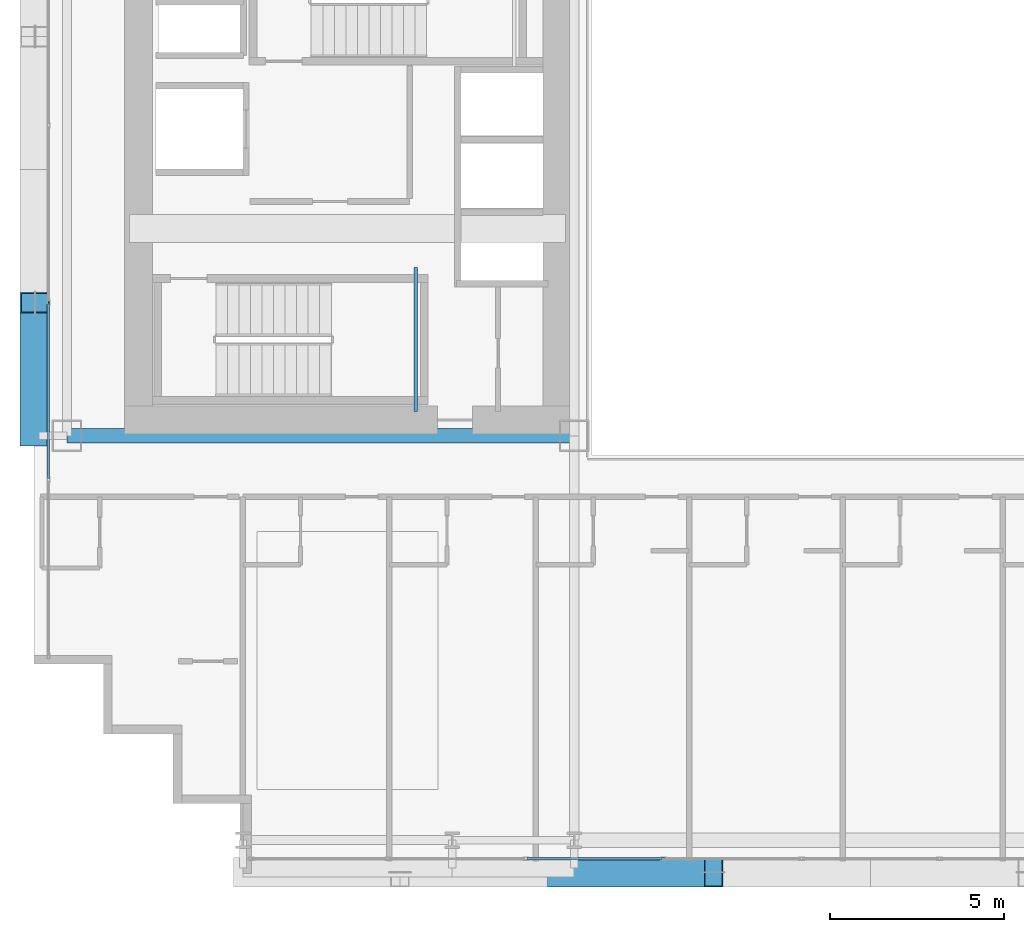
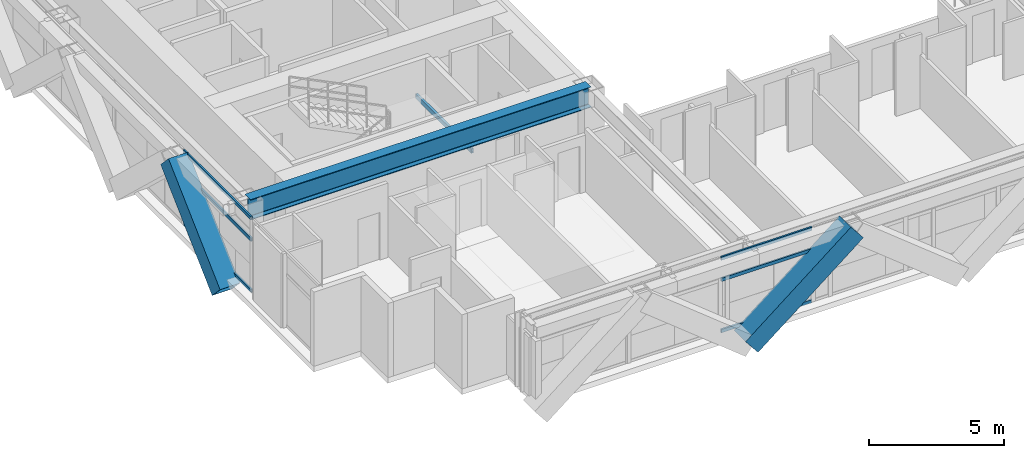
# One storey, part 4 of 36: 8 members, 2 beams, 2 elements without a shape of their own.
"""IFC4 building model written with IfcOpenShell, lengths in metres."""

from ifc_helpers import new_model, si_unit, direction, frame, origin, origin_2d, place, context, subcontext, project, spatial, hollow_rectangle, i_section, extrude, source, transform, mapped, material, layer, layer_set, material_profile, profile_set, type_object, element, aggregate, save


model = new_model("IFC4")

# Units and contexts
model_context = context("Model", 3, precision=1e-05, world=origin(), true_north=direction((0.0, 1.0)))
body_context = subcontext(model_context, "Body", "Model", "MODEL_VIEW")
ifc_project = project(units=[si_unit("LENGTHUNIT", "METRE"), si_unit("AREAUNIT", "SQUARE_METRE"), si_unit("VOLUMEUNIT", "CUBIC_METRE"), si_unit("PLANEANGLEUNIT", "RADIAN"), si_unit("MASSUNIT", "GRAM", prefix="KILO")], contexts=[model_context])

# Site, building, storey
site_placement = place(None, origin())
site = spatial("IfcSite", under=ifc_project, at=site_placement, CompositionType="ELEMENT")
building_placement = place(site_placement, origin())
building = spatial("IfcBuilding", under=site, at=building_placement, Name="Ocotamira Hotel", CompositionType="ELEMENT")
storey_placement = place(building_placement, frame((0.0, 0.0, 42.0)))
storey = spatial("IfcBuildingStorey", under=building, at=storey_placement, Name="L09", CompositionType="ELEMENT", Elevation=42.0)

# Beams
ifc_material_1 = material(Name="Steel ASTM A500 Grade C", Category="steel")
ifc_material_profile_1 = material_profile(ifc_material_1, hollow_rectangle(XDim=0.10009765625, YDim=0.199951171875, WallThickness=0.008056640625, at=origin_2d()), Name="HSS200X100X8")
ifc_profile_set_1 = profile_set([ifc_material_profile_1], Name="Steel ASTM A500 Grade C")
beam_type_1 = type_object("IfcBeamType", Name="BM-STLDG-HSS200", PredefinedType="BEAM", material=ifc_profile_set_1)
shared_shape_1 = source(origin(), body_context, "Body", "SweptSolid", [
    extrude(hollow_rectangle(XDim=0.10009765625, YDim=0.199951171875, WallThickness=0.008056640625, at=origin_2d()), origin(), (0.0, 0.0, 1.0), 4.1201171875),
])
beam_1_placement = place(storey_placement, frame((18.949951171875, 15.25, 1.5), z_axis=(0.0, 1.0, 0.0), x_axis=(-1.0, 0.0, 0.0)))
element("IfcBeam", 1, at=beam_1_placement, inside=storey, type_object=beam_type_1, Name="L09 Stair ST-1 Landing Bearer 1", PredefinedType="BEAM", context=body_context, shape_type="MappedRepresentation", body=[
    mapped(shared_shape_1, transform((0.0, 0.0, 0.0), scale=1.0)),
])
ifc_material_2 = material(Name="Steel ASTM A992 Grade 50", Category="steel")
ifc_material_profile_2 = material_profile(ifc_material_2, i_section(OverallWidth=0.41796875, OverallDepth=0.927001953125, WebThickness=0.019287109375, FlangeThickness=0.031982421875, FilletRadius=0.02392578125, at=origin_2d()), Name="W36X231")
ifc_profile_set_2 = profile_set([ifc_material_profile_2], Name="Steel ASTM A992 Grade 50")
beam_type_2 = type_object("IfcBeamType", Name="BM-GIRD-W36X231", PredefinedType="BEAM", material=ifc_profile_set_2)
shared_shape_2 = source(origin(), body_context, "Body", "SweptSolid", [
    extrude(i_section(OverallWidth=0.41796875, OverallDepth=0.927001953125, WebThickness=0.019287109375, FlangeThickness=0.031982421875, FilletRadius=0.02392578125, at=origin_2d()), origin(), (0.0, 0.0, 1.0), 14.550048828125),
])
beam_2_placement = place(storey_placement, frame((8.949951171875, 14.550048828125, 2.886474609375), z_axis=(1.0, 0.0, 0.0), x_axis=(0.0, 1.0, 0.0)))
element("IfcBeam", 2, at=beam_2_placement, inside=storey, type_object=beam_type_2, Name="L09 Girder Y14.55 X8.95-23.5", PredefinedType="BEAM", context=body_context, shape_type="MappedRepresentation", body=[
    mapped(shared_shape_2, transform((0.0, 0.0, 0.0), scale=1.0)),
])

# Members
ifc_material_3 = material(Name="Pale-metal coated steel ASTM A913 Grade 65", Category="steel")
ifc_material_profile_3 = material_profile(ifc_material_3, hollow_rectangle(XDim=0.85009765625, YDim=0.85009765625, WallThickness=0.035888671875, at=origin_2d()), Name="BOX850X850X36")
ifc_profile_set_3 = profile_set([ifc_material_profile_3], Name="Pale-metal coated steel ASTM A913 Grade 65")
member_type_1 = type_object("IfcMemberType", Name="MEM-EXO-BOX850", PredefinedType="BRACE", material=ifc_profile_set_3)
shared_shape_3 = source(origin(), body_context, "Body", "SweptSolid", [
    extrude(hollow_rectangle(XDim=0.85009765625, YDim=0.85009765625, WallThickness=0.035888671875, at=origin_2d()), origin(), (0.0, 0.0, 1.0), 5.24658203125),
])
member_1_placement = place(storey_placement, frame((8.030029296875, 14.550048828125, -0.5), z_axis=(0.0, 0.727442733726, 0.686168397078), x_axis=(-1.0, 0.0, 0.0)))
element("IfcMember", 3, at=member_1_placement, inside=storey, type_object=member_type_1, Name="L09 Exoskeleton Diagrid W0.1", PredefinedType="BRACE", context=body_context, shape_type="MappedRepresentation", body=[
    mapped(shared_shape_3, transform((0.0, 0.0, 0.0), scale=1.0)),
])
shared_shape_4 = source(origin(), body_context, "Body", "SweptSolid", [
    extrude(hollow_rectangle(XDim=0.85009765625, YDim=0.85009765625, WallThickness=0.035888671875, at=origin_2d()), origin(), (0.0, 0.0, 1.0), 5.762939453125),
])
member_2_placement = place(storey_placement, frame((23.0, 2.030029296875, -0.5), z_axis=(0.780860543151, 0.0, 0.624705380279), x_axis=(0.0, 1.0, 0.0)))
element("IfcMember", 4, at=member_2_placement, inside=storey, type_object=member_type_1, Name="L09 Exoskeleton Diagrid S1.1", PredefinedType="BRACE", context=body_context, shape_type="MappedRepresentation", body=[
    mapped(shared_shape_4, transform((0.0, 0.0, 0.0), scale=1.0)),
])

# Curtain wall, members
ifc_material_4 = material(Name="Anodised pale-metal aluminium and solar glass", Category="aluminium")
ifc_layer = layer(ifc_material_4, 0.179931640625)
ifc_layer_set = layer_set([ifc_layer], Name="Anodised pale-metal aluminium and solar glass")
curtain_wall_type = type_object("IfcCurtainWallType", Name="CW-SYS2-Z1", PredefinedType="NOTDEFINED", material=ifc_layer_set)
curtain_wall_1_placement = place(storey_placement, origin())
curtain_wall_1 = element("IfcCurtainWall", 5, at=curtain_wall_1_placement, inside=storey, type_object=curtain_wall_type, Name="L09 Curtain Wall CW-2 CW-L09-S1", PredefinedType="NOTDEFINED")
ifc_material_5 = material(Name="Anodised pale-metal aluminium 6063-T6", Category="aluminium")
ifc_material_profile_4 = material_profile(ifc_material_5, hollow_rectangle(XDim=0.074951171875, YDim=0.14990234375, WallThickness=0.006103515625, at=origin_2d()), Name="HSS150X75X6")
ifc_profile_set_4 = profile_set([ifc_material_profile_4], Name="Anodised pale-metal aluminium 6063-T6")
member_type_2 = type_object("IfcMemberType", Name="CWT-150X75", PredefinedType="USERDEFINED", material=ifc_profile_set_4)
shared_shape_5 = source(origin(), body_context, "Body", "SweptSolid", [
    extrude(hollow_rectangle(XDim=0.074951171875, YDim=0.14990234375, WallThickness=0.006103515625, at=origin_2d()), origin(), (0.0, 0.0, 1.0), 3.87548828125),
])
member_3_placement = place(storey_placement, frame((22.151123046875, 2.419921875, 0.03759765625), z_axis=(1.0, 0.0, 0.0), x_axis=(0.0, 1.0, 0.0)))
member_3 = element("IfcMember", 6, at=member_3_placement, type_object=member_type_2, Name="CW-2 transom 3.1", ObjectType="TRANSOM", PredefinedType="USERDEFINED", context=body_context, shape_type="MappedRepresentation", body=[
    mapped(shared_shape_5, transform((0.0, 0.0, 0.0), scale=1.0)),
])
member_4_placement = place(storey_placement, frame((22.151123046875, 2.419921875, 2.35009765625), z_axis=(1.0, 0.0, 0.0), x_axis=(0.0, 1.0, 0.0)))
member_4 = element("IfcMember", 7, at=member_4_placement, type_object=member_type_2, Name="CW-2 transom 3.2", ObjectType="TRANSOM", PredefinedType="USERDEFINED", context=body_context, shape_type="MappedRepresentation", body=[
    mapped(shared_shape_5, transform((0.0, 0.0, 0.0), scale=1.0)),
])
member_5_placement = place(storey_placement, frame((22.151123046875, 2.419921875, 3.3125), z_axis=(1.0, 0.0, 0.0), x_axis=(0.0, 1.0, 0.0)))
member_5 = element("IfcMember", 8, at=member_5_placement, type_object=member_type_2, Name="CW-2 transom 3.3", ObjectType="TRANSOM", PredefinedType="USERDEFINED", context=body_context, shape_type="MappedRepresentation", body=[
    mapped(shared_shape_5, transform((0.0, 0.0, 0.0), scale=1.0)),
])
aggregate(curtain_wall_1, [member_3, member_4, member_5])

curtain_wall_2_placement = place(storey_placement, origin())
curtain_wall_2 = element("IfcCurtainWall", 9, at=curtain_wall_2_placement, inside=storey, type_object=curtain_wall_type, Name="L09 Curtain Wall CW-2 CW-L09-W", PredefinedType="NOTDEFINED")
shared_shape_6 = source(origin(), body_context, "Body", "SweptSolid", [
    extrude(hollow_rectangle(XDim=0.074951171875, YDim=0.14990234375, WallThickness=0.006103515625, at=origin_2d()), origin(), (0.0, 0.0, 1.0), 5.005859375),
])
member_6_placement = place(storey_placement, frame((8.419921875, 13.32568359375, 0.03759765625), z_axis=(0.0, 1.0, 0.0), x_axis=(-1.0, 0.0, 0.0)))
member_6 = element("IfcMember", 10, at=member_6_placement, type_object=member_type_2, Name="CW-2 transom 2.1", ObjectType="TRANSOM", PredefinedType="USERDEFINED", context=body_context, shape_type="MappedRepresentation", body=[
    mapped(shared_shape_6, transform((0.0, 0.0, 0.0), scale=1.0)),
])
member_7_placement = place(storey_placement, frame((8.419921875, 13.32568359375, 2.35009765625), z_axis=(0.0, 1.0, 0.0), x_axis=(-1.0, 0.0, 0.0)))
member_7 = element("IfcMember", 11, at=member_7_placement, type_object=member_type_2, Name="CW-2 transom 2.2", ObjectType="TRANSOM", PredefinedType="USERDEFINED", context=body_context, shape_type="MappedRepresentation", body=[
    mapped(shared_shape_6, transform((0.0, 0.0, 0.0), scale=1.0)),
])
member_8_placement = place(storey_placement, frame((8.419921875, 13.32568359375, 3.3125), z_axis=(0.0, 1.0, 0.0), x_axis=(-1.0, 0.0, 0.0)))
member_8 = element("IfcMember", 12, at=member_8_placement, type_object=member_type_2, Name="CW-2 transom 2.3", ObjectType="TRANSOM", PredefinedType="USERDEFINED", context=body_context, shape_type="MappedRepresentation", body=[
    mapped(shared_shape_6, transform((0.0, 0.0, 0.0), scale=1.0)),
])
aggregate(curtain_wall_2, [member_6, member_7, member_8])

save(model, "model.ifc")
